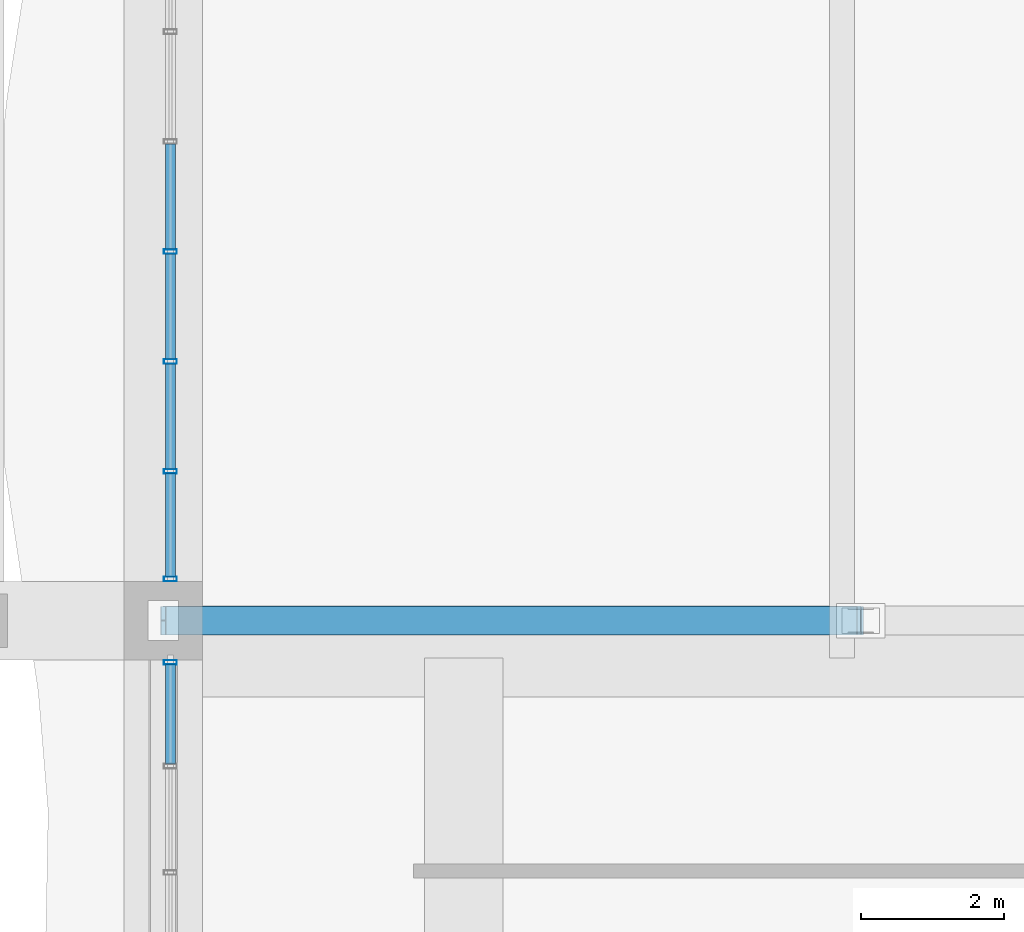
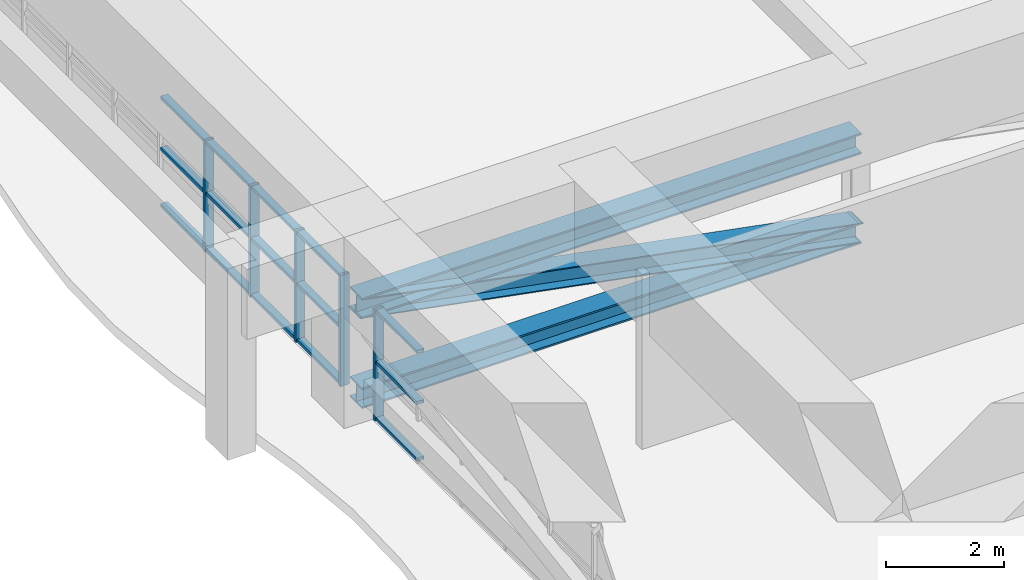
# One storey, part 6 of 35: 23 members, 2 elements without a shape of their own.
"""IFC4 building model written with IfcOpenShell, lengths in metres."""

from ifc_helpers import new_model, si_unit, direction, frame, origin, origin_2d, place, context, subcontext, project, spatial, hollow_rectangle, i_section, extrude, source, transform, mapped, material, layer, layer_set, material_profile, profile_set, type_object, element, aggregate, save


model = new_model("IFC4")

# Units and contexts
model_context = context("Model", 3, precision=1e-05, world=origin(), true_north=direction((0.0, 1.0)))
body_context = subcontext(model_context, "Body", "Model", "MODEL_VIEW")
ifc_project = project(units=[si_unit("LENGTHUNIT", "METRE"), si_unit("AREAUNIT", "SQUARE_METRE"), si_unit("VOLUMEUNIT", "CUBIC_METRE"), si_unit("PLANEANGLEUNIT", "RADIAN"), si_unit("MASSUNIT", "GRAM", prefix="KILO")], contexts=[model_context])

# Site, building, storey
site_placement = place(None, origin())
site = spatial("IfcSite", under=ifc_project, at=site_placement, CompositionType="ELEMENT")
building_placement = place(site_placement, origin())
building = spatial("IfcBuilding", under=site, at=building_placement, Name="Saelheon Loggia Tower", CompositionType="ELEMENT")
storey_placement = place(building_placement, frame((0.0, 0.0, 70.39990234375)))
storey = spatial("IfcBuildingStorey", under=building, at=storey_placement, Name="L22", CompositionType="ELEMENT", Elevation=70.39990234375)

# Members
ifc_material_1 = material(Name="Steel SM355", Category="steel")
ifc_material_profile_1 = material_profile(ifc_material_1, i_section(OverallWidth=0.406982421875, OverallDepth=0.427978515625, WebThickness=0.02001953125, FlangeThickness=0.034912109375, at=origin_2d()), Name="H-428x407x20x35")
ifc_profile_set_1 = profile_set([ifc_material_profile_1], Name="Steel SM355")
member_type_1 = type_object("IfcMemberType", Name="Outrigger_Chord_H428", PredefinedType="CHORD", material=ifc_profile_set_1)
shared_shape_1 = source(origin(), body_context, "Body", "SweptSolid", [
    extrude(i_section(OverallWidth=0.406982421875, OverallDepth=0.427978515625, WebThickness=0.02001953125, FlangeThickness=0.034912109375, at=origin_2d()), origin(), (0.0, 0.0, 1.0), 9.75),
])
for number, where, z_axis, x_axis, name in (
    (1, (21.75, 18.0, 0.22021484375), (-1.0, 0.0, 0.0), (0.0, -1.0, 0.0), "L22 Outrigger Bottom Chord SW-W 2"),
    (2, (21.75, 18.0, 2.070068359375), (-1.0, 0.0, 0.0), (0.0, -1.0, 0.0), "L22 Outrigger Top Chord SW-W 2"),
):
    element("IfcMember", number, at=place(storey_placement, frame(where, z_axis=z_axis, x_axis=x_axis)), inside=storey, type_object=member_type_1, Name=name, PredefinedType="CHORD", context=body_context, shape_type="MappedRepresentation", body=[
        mapped(shared_shape_1, transform((0.0, 0.0, 0.0), scale=1.0)),
    ])
ifc_material_profile_2 = material_profile(ifc_material_1, i_section(OverallWidth=0.39990234375, OverallDepth=0.39990234375, WebThickness=0.012939453125, FlangeThickness=0.02099609375, at=origin_2d()), Name="H-400x400x13x21")
ifc_profile_set_2 = profile_set([ifc_material_profile_2], Name="Steel SM355")
member_type_2 = type_object("IfcMemberType", Name="Outrigger_Brace_H400", PredefinedType="BRACE", material=ifc_profile_set_2)
shared_shape_2 = source(origin(), body_context, "Body", "SweptSolid", [
    extrude(i_section(OverallWidth=0.39990234375, OverallDepth=0.39990234375, WebThickness=0.012939453125, FlangeThickness=0.02099609375, at=origin_2d()), origin(), (0.0, 0.0, 1.0), 9.923828125),
])
member_1_placement = place(storey_placement, frame((21.75, 18.0, 0.22021484375), z_axis=(-0.9824733212, 0.0, 0.186403254075), x_axis=(0.0, -1.0, 0.0)))
element("IfcMember", 3, at=member_1_placement, inside=storey, type_object=member_type_2, Name="L22 Outrigger Diagonal SW-W 2", PredefinedType="BRACE", context=body_context, shape_type="MappedRepresentation", body=[
    mapped(shared_shape_2, transform((0.0, 0.0, 0.0), scale=1.0)),
])

# Curtain wall, member
ifc_material_2 = material(Name="Anodised Aluminium Acoustic Louvre Curtain Wall", Category="aluminium")
ifc_layer = layer(ifc_material_2, 0.179931640625)
ifc_layer_set = layer_set([ifc_layer], Name="Anodised Aluminium Acoustic Louvre Curtain Wall")
curtain_wall_type = type_object("IfcCurtainWallType", Name="CW_RefugeAcoustic", PredefinedType="NOTDEFINED", material=ifc_layer_set)
curtain_wall_1_placement = place(storey_placement, origin())
curtain_wall_1 = element("IfcCurtainWall", 4, at=curtain_wall_1_placement, inside=storey, type_object=curtain_wall_type, Name="L22 W Refuge Acoustic Curtain Wall 1", PredefinedType="NOTDEFINED")
ifc_material_3 = material(Name="Anodised Aluminium 6063-T6", Category="aluminium")
ifc_material_profile_3 = material_profile(ifc_material_3, hollow_rectangle(XDim=0.06494140625, YDim=0.179931640625, WallThickness=0.00390625, at=origin_2d()), Name="RHS-180x65x4")
ifc_profile_set_3 = profile_set([ifc_material_profile_3], Name="Anodised Aluminium 6063-T6")
member_type_3 = type_object("IfcMemberType", Name="CW_RefugeAcoustic_Mullion", PredefinedType="MULLION", material=ifc_profile_set_3)
shared_shape_3 = source(origin(), body_context, "Body", "SweptSolid", [
    extrude(hollow_rectangle(XDim=0.06494140625, YDim=0.179931640625, WallThickness=0.00390625, at=origin_2d()), origin(), (0.0, 0.0, 1.0), 2.2900390625),
])
member_2_placement = place(storey_placement, frame((12.10009765625, 17.41748046875, 0.0), z_axis=(0.0, 0.0, 1.0), x_axis=(0.0, 1.0, 0.0)))
member_2 = element("IfcMember", 5, at=member_2_placement, type_object=member_type_3, Name="CW5 mullion 8", PredefinedType="MULLION", context=body_context, shape_type="MappedRepresentation", body=[
    mapped(shared_shape_3, transform((0.0, 0.0, 0.0), scale=1.0)),
])

# Curtain wall, members
curtain_wall_2_placement = place(storey_placement, origin())
curtain_wall_2 = element("IfcCurtainWall", 6, at=curtain_wall_2_placement, inside=storey, type_object=curtain_wall_type, Name="L22 W Refuge Acoustic Curtain Wall 2", PredefinedType="NOTDEFINED")
member_3_placement = place(storey_placement, frame((12.10009765625, 18.58251953125, 0.0), z_axis=(0.0, 0.0, 1.0), x_axis=(0.0, 1.0, 0.0)))
member_3 = element("IfcMember", 7, at=member_3_placement, type_object=member_type_3, Name="CW5 mullion 1", PredefinedType="MULLION", context=body_context, shape_type="MappedRepresentation", body=[
    mapped(shared_shape_3, transform((0.0, 0.0, 0.0), scale=1.0)),
])
member_4_placement = place(storey_placement, frame((12.10009765625, 20.08642578125, 0.0), z_axis=(0.0, 0.0, 1.0), x_axis=(0.0, 1.0, 0.0)))
member_4 = element("IfcMember", 8, at=member_4_placement, type_object=member_type_3, Name="CW5 mullion 2", PredefinedType="MULLION", context=body_context, shape_type="MappedRepresentation", body=[
    mapped(shared_shape_3, transform((0.0, 0.0, 0.0), scale=1.0)),
])
member_5_placement = place(storey_placement, frame((12.10009765625, 21.622802734375, 0.0), z_axis=(0.0, 0.0, 1.0), x_axis=(0.0, 1.0, 0.0)))
member_5 = element("IfcMember", 9, at=member_5_placement, type_object=member_type_3, Name="CW5 mullion 3", PredefinedType="MULLION", context=body_context, shape_type="MappedRepresentation", body=[
    mapped(shared_shape_3, transform((0.0, 0.0, 0.0), scale=1.0)),
])
member_6_placement = place(storey_placement, frame((12.10009765625, 23.1591796875, 0.0), z_axis=(0.0, 0.0, 1.0), x_axis=(0.0, 1.0, 0.0)))
member_6 = element("IfcMember", 10, at=member_6_placement, type_object=member_type_3, Name="CW5 mullion 4", PredefinedType="MULLION", context=body_context, shape_type="MappedRepresentation", body=[
    mapped(shared_shape_3, transform((0.0, 0.0, 0.0), scale=1.0)),
])

# Member
ifc_material_profile_4 = material_profile(ifc_material_3, hollow_rectangle(XDim=0.06494140625, YDim=0.139892578125, WallThickness=0.00390625, at=origin_2d()), Name="RHS-140x65x4")
ifc_profile_set_4 = profile_set([ifc_material_profile_4], Name="Anodised Aluminium 6063-T6")
member_type_4 = type_object("IfcMemberType", Name="CW_RefugeAcoustic_Transom", PredefinedType="USERDEFINED", material=ifc_profile_set_4)
shared_shape_4 = source(origin(), body_context, "Body", "SweptSolid", [
    extrude(hollow_rectangle(XDim=0.06494140625, YDim=0.139892578125, WallThickness=0.00390625, at=origin_2d()), origin(), (0.0, 0.0, 1.0), 1.38818359375),
])
member_7_placement = place(storey_placement, frame((12.10009765625, 15.996826171875, 0.03271484375), z_axis=(0.0, 1.0, 0.0), x_axis=(0.0, 0.0, 1.0)))
member_7 = element("IfcMember", 11, at=member_7_placement, type_object=member_type_4, Name="CW5 transom 7.1", ObjectType="TRANSOM", PredefinedType="USERDEFINED", context=body_context, shape_type="MappedRepresentation", body=[
    mapped(shared_shape_4, transform((0.0, 0.0, 0.0), scale=1.0)),
])

member_8_placement = place(storey_placement, frame((12.10009765625, 15.996826171875, 1.2001953125), z_axis=(0.0, 1.0, 0.0), x_axis=(0.0, 0.0, 1.0)))
member_8 = element("IfcMember", 12, at=member_8_placement, type_object=member_type_4, Name="CW5 transom 7.2", ObjectType="TRANSOM", PredefinedType="USERDEFINED", context=body_context, shape_type="MappedRepresentation", body=[
    mapped(shared_shape_4, transform((0.0, 0.0, 0.0), scale=1.0)),
])

member_9_placement = place(storey_placement, frame((12.10009765625, 15.996826171875, 2.257568359375), z_axis=(0.0, 1.0, 0.0), x_axis=(0.0, 0.0, 1.0)))
member_9 = element("IfcMember", 13, at=member_9_placement, type_object=member_type_4, Name="CW5 transom 7.3", ObjectType="TRANSOM", PredefinedType="USERDEFINED", context=body_context, shape_type="MappedRepresentation", body=[
    mapped(shared_shape_4, transform((0.0, 0.0, 0.0), scale=1.0)),
])

aggregate(curtain_wall_1, [member_2, member_7, member_8, member_9])

shared_shape_5 = source(origin(), body_context, "Body", "SweptSolid", [
    extrude(hollow_rectangle(XDim=0.06494140625, YDim=0.139892578125, WallThickness=0.00390625, at=origin_2d()), origin(), (0.0, 0.0, 1.0), 1.43896484375),
])
member_10_placement = place(storey_placement, frame((12.10009765625, 18.614990234375, 0.03271484375), z_axis=(0.0, 1.0, 0.0), x_axis=(0.0, 0.0, 1.0)))
member_10 = element("IfcMember", 14, at=member_10_placement, type_object=member_type_4, Name="CW5 transom 1.1", ObjectType="TRANSOM", PredefinedType="USERDEFINED", context=body_context, shape_type="MappedRepresentation", body=[
    mapped(shared_shape_5, transform((0.0, 0.0, 0.0), scale=1.0)),
])

member_11_placement = place(storey_placement, frame((12.10009765625, 18.614990234375, 1.2001953125), z_axis=(0.0, 1.0, 0.0), x_axis=(0.0, 0.0, 1.0)))
member_11 = element("IfcMember", 15, at=member_11_placement, type_object=member_type_4, Name="CW5 transom 1.2", ObjectType="TRANSOM", PredefinedType="USERDEFINED", context=body_context, shape_type="MappedRepresentation", body=[
    mapped(shared_shape_5, transform((0.0, 0.0, 0.0), scale=1.0)),
])

member_12_placement = place(storey_placement, frame((12.10009765625, 18.614990234375, 2.257568359375), z_axis=(0.0, 1.0, 0.0), x_axis=(0.0, 0.0, 1.0)))
member_12 = element("IfcMember", 16, at=member_12_placement, type_object=member_type_4, Name="CW5 transom 1.3", ObjectType="TRANSOM", PredefinedType="USERDEFINED", context=body_context, shape_type="MappedRepresentation", body=[
    mapped(shared_shape_5, transform((0.0, 0.0, 0.0), scale=1.0)),
])

shared_shape_6 = source(origin(), body_context, "Body", "SweptSolid", [
    extrude(hollow_rectangle(XDim=0.06494140625, YDim=0.139892578125, WallThickness=0.00390625, at=origin_2d()), origin(), (0.0, 0.0, 1.0), 1.471435546875),
])
member_13_placement = place(storey_placement, frame((12.10009765625, 20.118896484375, 0.03271484375), z_axis=(0.0, 1.0, 0.0), x_axis=(0.0, 0.0, 1.0)))
member_13 = element("IfcMember", 17, at=member_13_placement, type_object=member_type_4, Name="CW5 transom 2.1", ObjectType="TRANSOM", PredefinedType="USERDEFINED", context=body_context, shape_type="MappedRepresentation", body=[
    mapped(shared_shape_6, transform((0.0, 0.0, 0.0), scale=1.0)),
])

member_14_placement = place(storey_placement, frame((12.10009765625, 20.118896484375, 1.2001953125), z_axis=(0.0, 1.0, 0.0), x_axis=(0.0, 0.0, 1.0)))
member_14 = element("IfcMember", 18, at=member_14_placement, type_object=member_type_4, Name="CW5 transom 2.2", ObjectType="TRANSOM", PredefinedType="USERDEFINED", context=body_context, shape_type="MappedRepresentation", body=[
    mapped(shared_shape_6, transform((0.0, 0.0, 0.0), scale=1.0)),
])

member_15_placement = place(storey_placement, frame((12.10009765625, 20.118896484375, 2.257568359375), z_axis=(0.0, 1.0, 0.0), x_axis=(0.0, 0.0, 1.0)))
member_15 = element("IfcMember", 19, at=member_15_placement, type_object=member_type_4, Name="CW5 transom 2.3", ObjectType="TRANSOM", PredefinedType="USERDEFINED", context=body_context, shape_type="MappedRepresentation", body=[
    mapped(shared_shape_6, transform((0.0, 0.0, 0.0), scale=1.0)),
])

member_16_placement = place(storey_placement, frame((12.10009765625, 21.6552734375, 0.03271484375), z_axis=(0.0, 1.0, 0.0), x_axis=(0.0, 0.0, 1.0)))
member_16 = element("IfcMember", 20, at=member_16_placement, type_object=member_type_4, Name="CW5 transom 3.1", ObjectType="TRANSOM", PredefinedType="USERDEFINED", context=body_context, shape_type="MappedRepresentation", body=[
    mapped(shared_shape_6, transform((0.0, 0.0, 0.0), scale=1.0)),
])

member_17_placement = place(storey_placement, frame((12.10009765625, 21.6552734375, 1.2001953125), z_axis=(0.0, 1.0, 0.0), x_axis=(0.0, 0.0, 1.0)))
member_17 = element("IfcMember", 21, at=member_17_placement, type_object=member_type_4, Name="CW5 transom 3.2", ObjectType="TRANSOM", PredefinedType="USERDEFINED", context=body_context, shape_type="MappedRepresentation", body=[
    mapped(shared_shape_6, transform((0.0, 0.0, 0.0), scale=1.0)),
])

member_18_placement = place(storey_placement, frame((12.10009765625, 21.6552734375, 2.257568359375), z_axis=(0.0, 1.0, 0.0), x_axis=(0.0, 0.0, 1.0)))
member_18 = element("IfcMember", 22, at=member_18_placement, type_object=member_type_4, Name="CW5 transom 3.3", ObjectType="TRANSOM", PredefinedType="USERDEFINED", context=body_context, shape_type="MappedRepresentation", body=[
    mapped(shared_shape_6, transform((0.0, 0.0, 0.0), scale=1.0)),
])

shared_shape_7 = source(origin(), body_context, "Body", "SweptSolid", [
    extrude(hollow_rectangle(XDim=0.06494140625, YDim=0.139892578125, WallThickness=0.00390625, at=origin_2d()), origin(), (0.0, 0.0, 1.0), 1.47119140625),
])
member_19_placement = place(storey_placement, frame((12.10009765625, 23.191650390625, 0.03271484375), z_axis=(0.0, 1.0, 0.0), x_axis=(0.0, 0.0, 1.0)))
member_19 = element("IfcMember", 23, at=member_19_placement, type_object=member_type_4, Name="CW5 transom 4.1", ObjectType="TRANSOM", PredefinedType="USERDEFINED", context=body_context, shape_type="MappedRepresentation", body=[
    mapped(shared_shape_7, transform((0.0, 0.0, 0.0), scale=1.0)),
])

member_20_placement = place(storey_placement, frame((12.10009765625, 23.191650390625, 1.2001953125), z_axis=(0.0, 1.0, 0.0), x_axis=(0.0, 0.0, 1.0)))
member_20 = element("IfcMember", 24, at=member_20_placement, type_object=member_type_4, Name="CW5 transom 4.2", ObjectType="TRANSOM", PredefinedType="USERDEFINED", context=body_context, shape_type="MappedRepresentation", body=[
    mapped(shared_shape_7, transform((0.0, 0.0, 0.0), scale=1.0)),
])

member_21_placement = place(storey_placement, frame((12.10009765625, 23.191650390625, 2.257568359375), z_axis=(0.0, 1.0, 0.0), x_axis=(0.0, 0.0, 1.0)))
member_21 = element("IfcMember", 25, at=member_21_placement, type_object=member_type_4, Name="CW5 transom 4.3", ObjectType="TRANSOM", PredefinedType="USERDEFINED", context=body_context, shape_type="MappedRepresentation", body=[
    mapped(shared_shape_7, transform((0.0, 0.0, 0.0), scale=1.0)),
])

aggregate(curtain_wall_2, [member_3, member_4, member_5, member_6, member_10, member_11, member_12, member_13, member_14, member_15, member_16, member_17, member_18, member_19, member_20, member_21])

save(model, "model.ifc")
